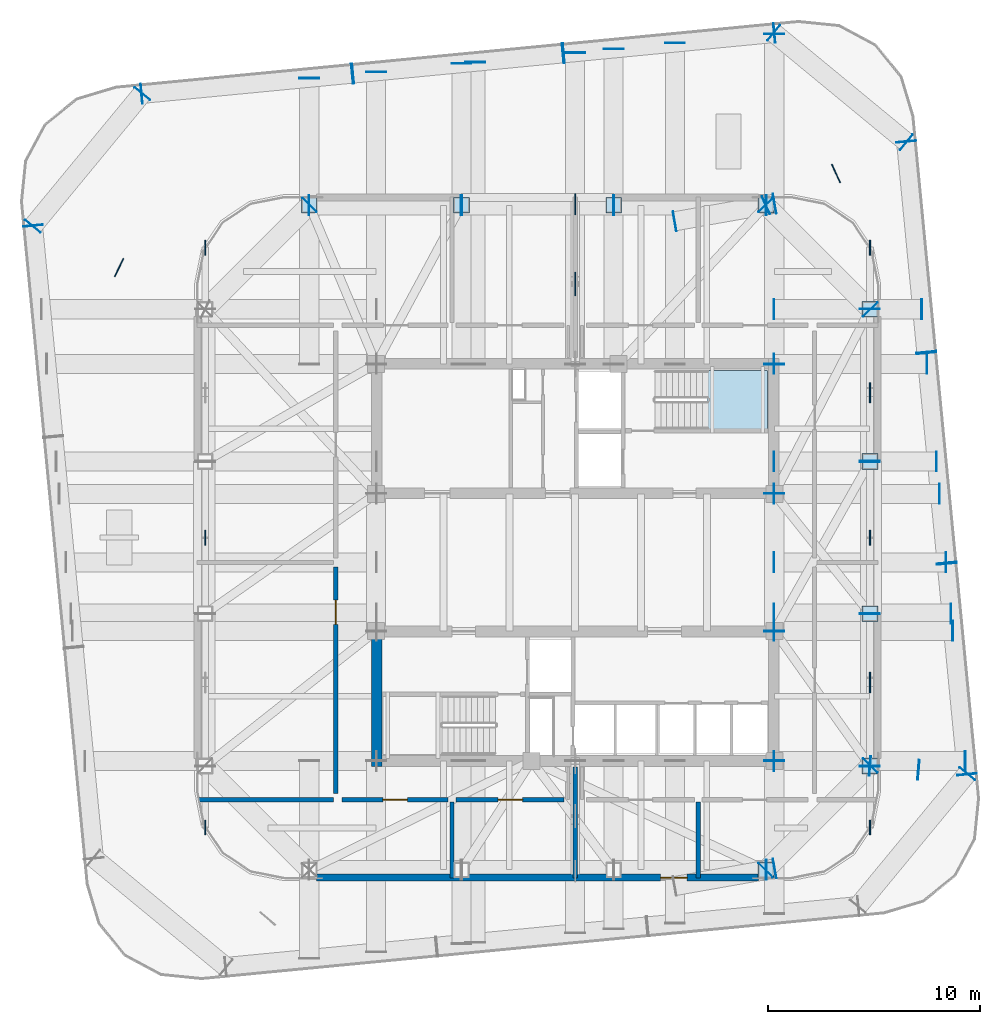
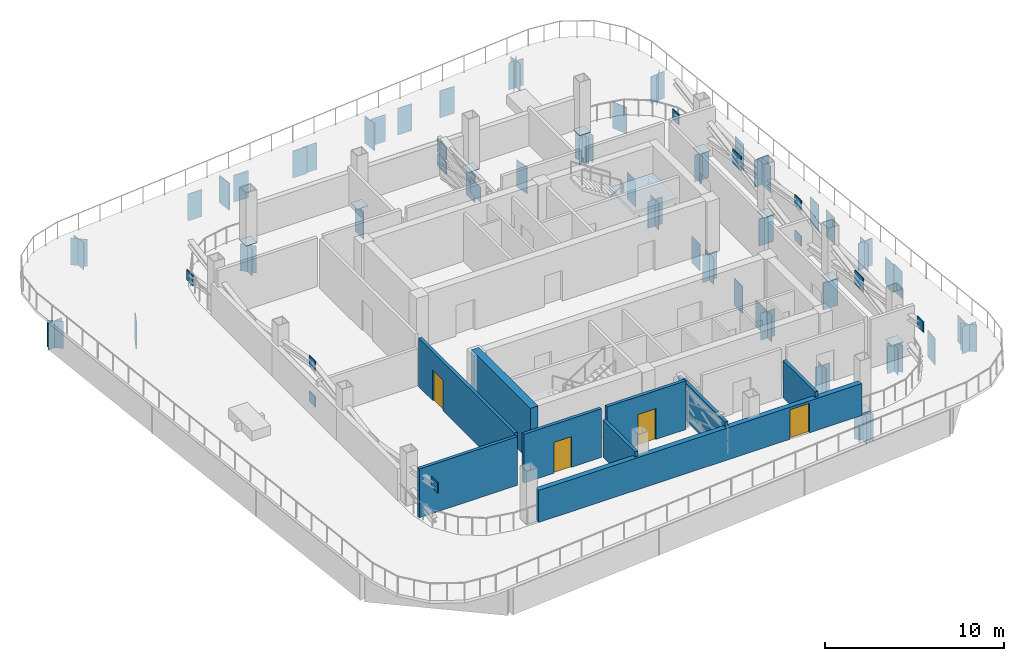
# One storey, part 5 of 12: 94 plates, 9 walls, 4 doors, 1 slab, 4 openings, 1 element without a shape of its own.
"""IFC4 building model written with IfcOpenShell, lengths in metres."""

from ifc_helpers import new_model, si_unit, direction, frame, frame_2d, origin, origin_2d, place, context, subcontext, project, spatial, polyline, rectangle, outline, extrude, material, layer, layer_set, type_object, element, fill, aggregate, save


model = new_model("IFC4")

# Units and contexts
model_context = context("Model", 3, precision=1e-05, world=origin(), true_north=direction((0.0, 1.0)))
body_context = subcontext(model_context, "Body", "Model", "MODEL_VIEW")
ifc_project = project(units=[si_unit("LENGTHUNIT", "METRE"), si_unit("AREAUNIT", "SQUARE_METRE"), si_unit("VOLUMEUNIT", "CUBIC_METRE"), si_unit("PLANEANGLEUNIT", "RADIAN"), si_unit("MASSUNIT", "GRAM", prefix="KILO")], contexts=[model_context])

# Site, building, storey
site_placement = place(None, origin())
site = spatial("IfcSite", under=ifc_project, at=site_placement, CompositionType="ELEMENT")
building_placement = place(site_placement, origin())
building = spatial("IfcBuilding", under=site, at=building_placement, Name="Qhalaya Broadcast Tower", CompositionType="ELEMENT")
storey_placement = place(building_placement, frame((0.0, 0.0, 187.949951171875)))
storey = spatial("IfcBuildingStorey", under=building, at=storey_placement, Name="L55", CompositionType="ELEMENT", Elevation=187.949951171875)

# Plates
ifc_material_1 = material(Name="Structural Steel ASTM A572 Grade 50", Category="steel")
ifc_layer_1 = layer(ifc_material_1, 0.4599609375, Name="Structural Steel ASTM A572 Grade 50")
ifc_layer_set_1 = layer_set([ifc_layer_1], Name="Structural Steel ASTM A572 Grade 50")
plate_type_1 = type_object("IfcPlateType", Name="Hollow Box Member End Cap Plate CP-01", PredefinedType="USERDEFINED", material=ifc_layer_set_1)
for number, where, z_axis, x_axis, name in (
    (1, (8.99609375, -13.8798828125, -2.10009765625), (0.0, 0.0, 1.0), (0.0, 1.0, 0.0), "L55 Hollow Girder End Cap L55-SPR-03-B"),
    (2, (8.96875, -13.891357421875, -2.10009765625), (0.0, 0.0, 1.0), (-0.707106781187, 0.707106781187, 0.0), "L55 Hollow Girder End Cap L55-SPR-04-A"),
    (3, (13.891357421875, -8.96875, -2.10009765625), (0.0, 0.0, 1.0), (-0.707106781187, 0.707106781187, 0.0), "L55 Hollow Girder End Cap L55-SPR-04-B"),
    (4, (13.8798828125, -8.99609375, -2.10009765625), (0.0, 0.0, 1.0), (-1.0, 0.0, 0.0), "L55 Hollow Girder End Cap L55-SPR-05-A"),
    (5, (13.8798828125, -1.79736328125, -2.10009765625), (0.0, 0.0, 1.0), (-1.0, 0.0, 0.0), "L55 Hollow Girder End Cap L55-SPR-05-B"),
    (6, (13.8798828125, -1.829345703125, -2.10009765625), (0.0, 0.0, 1.0), (-1.0, 0.0, 0.0), "L55 Hollow Girder End Cap L55-SPR-06-A"),
    (7, (13.8798828125, 5.369384765625, -2.10009765625), (0.0, 0.0, 1.0), (-1.0, 0.0, 0.0), "L55 Hollow Girder End Cap L55-SPR-06-B"),
    (8, (13.8798828125, 5.33740234375, -2.10009765625), (0.0, 0.0, 1.0), (-1.0, 0.0, 0.0), "L55 Hollow Girder End Cap L55-SPR-07-A"),
    (9, (13.8798828125, 12.535888671875, -2.10009765625), (0.0, 0.0, 1.0), (-1.0, 0.0, 0.0), "L55 Hollow Girder End Cap L55-SPR-07-B"),
    (10, (13.891357421875, 12.5087890625, -2.10009765625), (0.0, 0.0, 1.0), (-0.707106781187, -0.707106781187, 0.0), "L55 Hollow Girder End Cap L55-SPR-08-A"),
    (11, (8.96875, 17.431396484375, -2.10009765625), (0.0, 0.0, 1.0), (-0.707106781187, -0.707106781187, 0.0), "L55 Hollow Girder End Cap L55-SPR-08-B"),
    (12, (8.99609375, 17.419921875, -2.10009765625), (0.0, 0.0, 1.0), (0.0, -1.0, 0.0), "L55 Hollow Girder End Cap L55-SPR-09-A"),
    (13, (1.79736328125, 17.419921875, -2.10009765625), (0.0, 0.0, 1.0), (0.0, -1.0, 0.0), "L55 Hollow Girder End Cap L55-SPR-09-B"),
    (14, (1.829345703125, 17.419921875, -2.10009765625), (0.0, 0.0, 1.0), (0.0, -1.0, 0.0), "L55 Hollow Girder End Cap L55-SPR-10-A"),
    (15, (-5.369384765625, 17.419921875, -2.10009765625), (0.0, 0.0, 1.0), (0.0, -1.0, 0.0), "L55 Hollow Girder End Cap L55-SPR-10-B"),
    (16, (-5.33740234375, 17.419921875, -2.10009765625), (0.0, 0.0, 1.0), (0.0, -1.0, 0.0), "L55 Hollow Girder End Cap L55-SPR-11-A"),
    (17, (-12.535888671875, 17.419921875, -2.10009765625), (0.0, 0.0, 1.0), (0.0, -1.0, 0.0), "L55 Hollow Girder End Cap L55-SPR-11-B"),
    (18, (-12.5087890625, 17.431396484375, -2.10009765625), (0.0, 0.0, 1.0), (0.707106781187, -0.707106781187, 0.0), "L55 Hollow Girder End Cap L55-SPR-12-A"),
    (19, (18.4580078125, -9.349609375, -2.10009765625), (0.0, 0.0, 1.0), (-0.771624583388, 0.636078220278, 0.0), "L55 Hollow Girder End Cap L55-TGL-04-B"),
    (20, (18.44921875, -9.3779296875, -2.10009765625), (0.0, 0.0, 1.0), (-0.995396198367, -0.09584575252, 0.0), "L55 Hollow Girder End Cap L55-TGL-05-A"),
    (21, (17.4912109375, 0.57470703125, -2.10009765625), (0.0, 0.0, 1.0), (-0.995396198367, -0.09584575252, 0.0), "L55 Hollow Girder End Cap L55-TGL-05-B"),
    (22, (17.494140625, 0.54296875, -2.10009765625), (0.0, 0.0, 1.0), (-0.995396198367, -0.09584575252, 0.0), "L55 Hollow Girder End Cap L55-TGL-06-A"),
    (23, (16.535888671875, 10.49560546875, -2.10009765625), (0.0, 0.0, 1.0), (-0.995396198367, -0.09584575252, 0.0), "L55 Hollow Girder End Cap L55-TGL-06-B"),
    (24, (16.538818359375, 10.463623046875, -2.10009765625), (0.0, 0.0, 1.0), (-0.995396198367, -0.09584575252, 0.0), "L55 Hollow Girder End Cap L55-TGL-07-A"),
    (25, (15.58056640625, 20.416259765625, -2.10009765625), (0.0, 0.0, 1.0), (-0.995396198367, -0.09584575252, 0.0), "L55 Hollow Girder End Cap L55-TGL-07-B"),
    (26, (15.59423828125, 20.39013671875, -2.10009765625), (0.0, 0.0, 1.0), (-0.636078220278, -0.771624583388, 0.0), "L55 Hollow Girder End Cap L55-TGL-08-A"),
    (27, (9.349609375, 25.5380859375, -2.10009765625), (0.0, 0.0, 1.0), (-0.636078220278, -0.771624583388, 0.0), "L55 Hollow Girder End Cap L55-TGL-08-B"),
    (28, (9.3779296875, 25.529296875, -2.10009765625), (0.0, 0.0, 1.0), (0.09584575252, -0.995396198367, 0.0), "L55 Hollow Girder End Cap L55-TGL-09-A"),
    (29, (-0.57470703125, 24.571044921875, -2.10009765625), (0.0, 0.0, 1.0), (0.09584575252, -0.995396198367, 0.0), "L55 Hollow Girder End Cap L55-TGL-09-B"),
    (30, (-0.54296875, 24.57421875, -2.10009765625), (0.0, 0.0, 1.0), (0.09584575252, -0.995396198367, 0.0), "L55 Hollow Girder End Cap L55-TGL-10-A"),
    (31, (-10.49560546875, 23.61572265625, -2.10009765625), (0.0, 0.0, 1.0), (0.09584575252, -0.995396198367, 0.0), "L55 Hollow Girder End Cap L55-TGL-10-B"),
    (32, (-10.463623046875, 23.618896484375, -2.10009765625), (0.0, 0.0, 1.0), (0.09584575252, -0.995396198367, 0.0), "L55 Hollow Girder End Cap L55-TGL-11-A"),
    (33, (-20.416259765625, 22.660400390625, -2.10009765625), (0.0, 0.0, 1.0), (0.09584575252, -0.995396198367, 0.0), "L55 Hollow Girder End Cap L55-TGL-11-B"),
    (34, (-20.39013671875, 22.67431640625, -2.10009765625), (0.0, 0.0, 1.0), (0.771624583388, -0.636078220278, 0.0), "L55 Hollow Girder End Cap L55-TGL-12-A"),
    (35, (-25.5380859375, 16.4296875, -2.10009765625), (0.0, 0.0, 1.0), (0.771624583388, -0.636078220278, 0.0), "L55 Hollow Girder End Cap L55-TGL-12-B"),
    (36, (-25.529296875, 16.4580078125, -2.10009765625), (0.0, 0.0, 1.0), (0.995396198367, 0.09584575252, 0.0), "L55 Hollow Girder End Cap L55-TGL-13-A"),
    (37, (-9.375, 23.699462890625, -2.10009765625), (0.0, 0.0, 1.0), (-1.0, 0.0, 0.0), "L55 Hollow Girder End Cap L55-TGINW-1-B"),
    (38, (9.375, 9.93408203125, -2.10009765625), (0.0, 0.0, 1.0), (-1.0, 0.0, 0.0), "L55 Hollow Girder End Cap L55-TGINE-1-A"),
    (39, (9.375, 25.481201171875, -2.10009765625), (0.0, 0.0, 1.0), (-1.0, 0.0, 0.0), "L55 Hollow Girder End Cap L55-TGINE-1-B"),
    (40, (0.0, 24.602294921875, -2.10009765625), (0.0, 0.0, 1.0), (-1.0, 0.0, 0.0), "L55 Hollow Girder End Cap L55-TGIMN-1-B"),
    (41, (-4.699951171875, 24.149658203125, -2.10009765625), (0.0, 0.0, 1.0), (-1.0, 0.0, 0.0), "L55 Hollow Girder End Cap L55-TGIMNW-1-B"),
    (42, (4.699951171875, 25.0546875, -2.10009765625), (0.0, 0.0, 1.0), (-1.0, 0.0, 0.0), "L55 Hollow Girder End Cap L55-TGIMNE-1-B"),
    (43, (9.35888671875, 0.60009765625, -2.10009765625), (0.0, 0.0, 1.0), (0.0, 1.0, 0.0), "L55 Hollow Girder End Cap L55-TGIYE-1-A"),
    (44, (17.46435546875, 0.60009765625, -2.10009765625), (0.0, 0.0, 1.0), (0.0, 1.0, 0.0), "L55 Hollow Girder End Cap L55-TGIYE-1-B"),
    (45, (9.375, -8.73388671875, -2.10009765625), (0.0, 0.0, 1.0), (-1.0, 0.0, 0.0), "L55 Hollow Girder End Cap L55-TGISE-1-B"),
    (46, (9.375, -2.64111328125, -2.10009765625), (0.0, 0.0, 1.0), (-1.0, 0.0, 0.0), "L55 Hollow Girder End Cap L55-TGIME-1-A"),
    (47, (9.375, 3.841064453125, -2.10009765625), (0.0, 0.0, 1.0), (-1.0, 0.0, 0.0), "L55 Hollow Girder End Cap L55-TGIME-1-B"),
    (48, (9.35888671875, -8.75, -2.10009765625), (0.0, 0.0, 1.0), (0.0, 1.0, 0.0), "L55 Hollow Girder End Cap L55-TGIY1E-1-A"),
    (49, (18.36474609375, -8.75, -2.10009765625), (0.0, 0.0, 1.0), (0.0, 1.0, 0.0), "L55 Hollow Girder End Cap L55-TGIY1E-1-B"),
    (50, (9.35888671875, -2.625, -2.10009765625), (0.0, 0.0, 1.0), (0.0, 1.0, 0.0), "L55 Hollow Girder End Cap L55-TGIY2E-1-A"),
    (51, (17.77490234375, -2.625, -2.10009765625), (0.0, 0.0, 1.0), (0.0, 1.0, 0.0), "L55 Hollow Girder End Cap L55-TGIY2E-1-B"),
    (52, (9.35888671875, 3.824951171875, -2.10009765625), (0.0, 0.0, 1.0), (0.0, 1.0, 0.0), "L55 Hollow Girder End Cap L55-TGIY3E-1-A"),
    (53, (17.15380859375, 3.824951171875, -2.10009765625), (0.0, 0.0, 1.0), (0.0, 1.0, 0.0), "L55 Hollow Girder End Cap L55-TGIY3E-1-B"),
    (54, (9.35888671875, 9.949951171875, -2.10009765625), (0.0, 0.0, 1.0), (0.0, 1.0, 0.0), "L55 Hollow Girder End Cap L55-TGIY4E-1-A"),
    (55, (16.564208984375, 9.949951171875, -2.10009765625), (0.0, 0.0, 1.0), (0.0, 1.0, 0.0), "L55 Hollow Girder End Cap L55-TGIY4E-1-B"),
    (56, (9.390869140625, -13.8076171875, -2.10009765625), (0.0, 0.0, 1.0), (-0.173648177667, 0.984807753012, 0.0), "L55 Hollow Girder End Cap L55-TGC-04-B"),
):
    element("IfcPlate", number, at=place(storey_placement, frame(where, z_axis=z_axis, x_axis=x_axis)), inside=storey, type_object=plate_type_1, Name=name, ObjectType="COVER_PLATE", PredefinedType="USERDEFINED", context=body_context, shape_type="SweptSolid", body=[
        extrude(rectangle(XDim=0.93994140625, YDim=0.031982421875, at=origin_2d()), origin(), (0.0, 0.0, 1.0), 1.840087890625),
    ])
plate_1_placement = place(storey_placement, frame((13.8798828125, -8.97998046875, -2.080078125), z_axis=(0.0, 0.0, 1.0), x_axis=(-0.083329996614, -0.996522007617, 0.0)))
element("IfcPlate", 57, at=plate_1_placement, inside=storey, type_object=plate_type_1, Name="L55 Transfer Box End Cap 05", ObjectType="COVER_PLATE", PredefinedType="USERDEFINED", context=body_context, shape_type="SweptSolid", body=[
    extrude(rectangle(XDim=0.919921875, YDim=0.035888671875, at=origin_2d()), origin(), (0.0, 0.0, 1.0), 1.800048828125),
])
for number, where, z_axis, x_axis, name in (
    (58, (9.35888671875, -1.813232421875, -2.10009765625), (0.0, 0.0, 1.0), (0.0, 1.0, 0.0), "L55 Hollow Girder End Cap L55-TGC-06-A"),
    (59, (17.69677734375, -1.813232421875, -2.10009765625), (0.0, 0.0, 1.0), (0.0, 1.0, 0.0), "L55 Hollow Girder End Cap L55-TGC-06-B"),
    (60, (9.35888671875, 5.353271484375, -2.10009765625), (0.0, 0.0, 1.0), (0.0, 1.0, 0.0), "L55 Hollow Girder End Cap L55-TGC-07-A"),
    (61, (17.006591796875, 5.353271484375, -2.10009765625), (0.0, 0.0, 1.0), (0.0, 1.0, 0.0), "L55 Hollow Girder End Cap L55-TGC-07-B"),
    (62, (9.35888671875, 12.52001953125, -2.10009765625), (0.0, 0.0, 1.0), (0.0, 1.0, 0.0), "L55 Hollow Girder End Cap L55-TGC-08-A"),
    (63, (16.316650390625, 12.52001953125, -2.10009765625), (0.0, 0.0, 1.0), (0.0, 1.0, 0.0), "L55 Hollow Girder End Cap L55-TGC-08-B"),
    (64, (4.68408203125, 16.66259765625, -2.10009765625), (0.0, 0.0, 1.0), (-0.173665365778, 0.98480472213, 0.0), "L55 Hollow Girder End Cap L55-TGC-09-A"),
    (65, (9.390869140625, 17.492431640625, -2.10009765625), (0.0, 0.0, 1.0), (-0.173665365778, 0.98480472213, 0.0), "L55 Hollow Girder End Cap L55-TGC-09-B"),
):
    element("IfcPlate", number, at=place(storey_placement, frame(where, z_axis=z_axis, x_axis=x_axis)), inside=storey, type_object=plate_type_1, Name=name, ObjectType="COVER_PLATE", PredefinedType="USERDEFINED", context=body_context, shape_type="SweptSolid", body=[
        extrude(rectangle(XDim=0.93994140625, YDim=0.031982421875, at=origin_2d()), origin(), (0.0, 0.0, 1.0), 1.840087890625),
    ])
plate_2_placement = place(storey_placement, frame((8.97998046875, 17.419921875, -2.080078125), z_axis=(0.0, 0.0, 1.0), x_axis=(0.41145072965, -0.911432003536, 0.0)))
element("IfcPlate", 66, at=plate_2_placement, inside=storey, type_object=plate_type_1, Name="L55 Transfer Box End Cap 09", ObjectType="COVER_PLATE", PredefinedType="USERDEFINED", context=body_context, shape_type="SweptSolid", body=[
    extrude(rectangle(XDim=0.919921875, YDim=0.035888671875, at=origin_2d()), origin(), (0.0, 0.0, 1.0), 1.800048828125),
])
for number, where, z_axis, x_axis, name in (
    (67, (1.813232421875, 24.77685546875, -2.10009765625), (0.0, 0.0, 1.0), (-1.0, 0.0, 0.0), "L55 Hollow Girder End Cap L55-TGC-10-B"),
    (68, (-5.353271484375, 24.086669921875, -2.10009765625), (0.0, 0.0, 1.0), (-1.0, 0.0, 0.0), "L55 Hollow Girder End Cap L55-TGC-11-B"),
    (69, (-12.52001953125, 23.396484375, -2.10009765625), (0.0, 0.0, 1.0), (-1.0, 0.0, 0.0), "L55 Hollow Girder End Cap L55-TGC-12-B"),
):
    element("IfcPlate", number, at=place(storey_placement, frame(where, z_axis=z_axis, x_axis=x_axis)), inside=storey, type_object=plate_type_1, Name=name, ObjectType="COVER_PLATE", PredefinedType="USERDEFINED", context=body_context, shape_type="SweptSolid", body=[
        extrude(rectangle(XDim=0.93994140625, YDim=0.031982421875, at=origin_2d()), origin(), (0.0, 0.0, 1.0), 1.840087890625),
    ])
for number, where, z_axis, x_axis, name in (
    (70, (8.97998046875, -13.8798828125, -0.03173828125), (0.0, 0.0, 1.0), (1.0, 0.0, 0.0), "L55 Hollow Box Column Base Cap Plate COL-NK04"),
    (71, (13.8798828125, -8.97998046875, -0.03173828125), (0.0, 0.0, 1.0), (0.0, 1.0, 0.0), "L55 Hollow Box Column Base Cap Plate COL-NK05"),
    (72, (13.8798828125, -1.813232421875, -0.03173828125), (0.0, 0.0, 1.0), (0.0, 1.0, 0.0), "L55 Hollow Box Column Base Cap Plate COL-NK06"),
    (73, (13.8798828125, 5.353271484375, -0.03173828125), (0.0, 0.0, 1.0), (0.0, 1.0, 0.0), "L55 Hollow Box Column Base Cap Plate COL-NK07"),
    (74, (13.8798828125, 12.52001953125, -0.03173828125), (0.0, 0.0, 1.0), (0.0, 1.0, 0.0), "L55 Hollow Box Column Base Cap Plate COL-NK08"),
    (75, (8.97998046875, 17.419921875, -0.03173828125), (0.0, 0.0, 1.0), (1.0, 0.0, 0.0), "L55 Hollow Box Column Base Cap Plate COL-NK09"),
    (76, (1.813232421875, 17.419921875, -0.03173828125), (0.0, 0.0, 1.0), (1.0, 0.0, 0.0), "L55 Hollow Box Column Base Cap Plate COL-NK10"),
    (77, (-5.353271484375, 17.419921875, -0.03173828125), (0.0, 0.0, 1.0), (1.0, 0.0, 0.0), "L55 Hollow Box Column Base Cap Plate COL-NK11"),
    (78, (-12.52001953125, 17.419921875, -0.03173828125), (0.0, 0.0, 1.0), (1.0, 0.0, 0.0), "L55 Hollow Box Column Base Cap Plate COL-NK12"),
):
    element("IfcPlate", number, at=place(storey_placement, frame(where, z_axis=z_axis, x_axis=x_axis)), inside=storey, type_object=plate_type_1, Name=name, ObjectType="COVER_PLATE", PredefinedType="USERDEFINED", context=body_context, shape_type="SweptSolid", body=[
        extrude(rectangle(XDim=0.739990234375, YDim=0.739990234375, at=origin_2d()), origin(), (0.0, 0.0, 1.0), 0.031982421875),
    ])
ifc_layer_2 = layer(ifc_material_1, 0.06005859375, Name="Structural Steel ASTM A572 Grade 50")
ifc_layer_set_2 = layer_set([ifc_layer_2], Name="Structural Steel ASTM A572 Grade 50")
plate_type_2 = type_object("IfcPlateType", Name="Outrigger Core Embed Gusset Plate NP-02", PredefinedType="USERDEFINED", material=ifc_layer_set_2)
plate_3_placement = place(storey_placement, frame((0.0, 13.7099609375, 0.844970703125), z_axis=(0.0, 0.0, 1.0), x_axis=(0.0, 1.0, 0.0)))
element("IfcPlate", 79, at=plate_3_placement, inside=storey, type_object=plate_type_2, Name="L55 Outrigger Gusset Node NC-XM", ObjectType="GUSSET_PLATE", PredefinedType="USERDEFINED", context=body_context, shape_type="SweptSolid", body=[
    extrude(rectangle(XDim=1.10009765625, YDim=0.06005859375, at=origin_2d()), origin(), (0.0, 0.0, 1.0), 1.0),
])
for number, where, z_axis, x_axis, name in (
    (80, (0.0, 17.469970703125, 0.425048828125), (0.0, 0.0, 1.0), (0.0, 1.0, 0.0), "L55 Outrigger Gusset Node NC-P0"),
    (81, (0.0, 17.469970703125, 1.4150390625), (0.0, 0.0, 1.0), (0.0, 1.0, 0.0), "L55 Outrigger Gusset Node NC-P1"),
):
    element("IfcPlate", number, at=place(storey_placement, frame(where, z_axis=z_axis, x_axis=x_axis)), inside=storey, type_object=plate_type_2, Name=name, ObjectType="GUSSET_PLATE", PredefinedType="USERDEFINED", context=body_context, shape_type="SweptSolid", body=[
        extrude(rectangle(XDim=1.0, YDim=0.06005859375, at=origin_2d()), origin(), (0.0, 0.0, 1.0), 0.85009765625),
    ])
for number, where, z_axis, x_axis, name in (
    (82, (-17.419921875, -11.8798828125, 2.52001953125), (0.0, 0.0, 1.0), (0.0, 1.0, 0.0), "L55 Belt Truss End Gusset W1-B1T"),
    (83, (-17.419921875, 1.77001953125, 0.10009765625), (0.0, 0.0, 1.0), (0.0, 1.0, 0.0), "L55 Belt Truss End Gusset W1-B2B"),
    (84, (-17.419921875, 1.77001953125, 2.52001953125), (0.0, 0.0, 1.0), (0.0, 1.0, 0.0), "L55 Belt Truss End Gusset W2-B1T"),
    (85, (-17.419921875, 15.419921875, 0.10009765625), (0.0, 0.0, 1.0), (0.0, 1.0, 0.0), "L55 Belt Truss End Gusset W2-B2B"),
):
    element("IfcPlate", number, at=place(storey_placement, frame(where, z_axis=z_axis, x_axis=x_axis)), inside=storey, type_object=plate_type_2, Name=name, ObjectType="GUSSET_PLATE", PredefinedType="USERDEFINED", context=body_context, shape_type="SweptSolid", body=[
        extrude(rectangle(XDim=0.699951171875, YDim=0.06005859375, at=origin_2d()), origin(), (0.0, 0.0, 1.0), 0.699951171875),
    ])
plate_4_placement = place(storey_placement, frame((13.8798828125, -5.054931640625, 1.18505859375), z_axis=(0.0, 0.0, 1.0), x_axis=(0.0, 1.0, 0.0)))
element("IfcPlate", 86, at=plate_4_placement, inside=storey, type_object=plate_type_2, Name="L55 Belt Truss X-Crossing Gusset E1", ObjectType="GUSSET_PLATE", PredefinedType="USERDEFINED", context=body_context, shape_type="SweptSolid", body=[
    extrude(rectangle(XDim=0.949951171875, YDim=0.06005859375, at=origin_2d()), origin(), (0.0, 0.0, 1.0), 0.949951171875),
])
for number, where, z_axis, x_axis, name in (
    (87, (13.8798828125, -11.8798828125, 2.52001953125), (0.0, 0.0, 1.0), (0.0, 1.0, 0.0), "L55 Belt Truss End Gusset E1-B1T"),
    (88, (13.8798828125, 1.77001953125, 0.10009765625), (0.0, 0.0, 1.0), (0.0, 1.0, 0.0), "L55 Belt Truss End Gusset E1-B2B"),
):
    element("IfcPlate", number, at=place(storey_placement, frame(where, z_axis=z_axis, x_axis=x_axis)), inside=storey, type_object=plate_type_2, Name=name, ObjectType="GUSSET_PLATE", PredefinedType="USERDEFINED", context=body_context, shape_type="SweptSolid", body=[
        extrude(rectangle(XDim=0.699951171875, YDim=0.06005859375, at=origin_2d()), origin(), (0.0, 0.0, 1.0), 0.699951171875),
    ])
plate_5_placement = place(storey_placement, frame((13.8798828125, 8.594970703125, 1.18505859375), z_axis=(0.0, 0.0, 1.0), x_axis=(0.0, 1.0, 0.0)))
element("IfcPlate", 89, at=plate_5_placement, inside=storey, type_object=plate_type_2, Name="L55 Belt Truss X-Crossing Gusset E2", ObjectType="GUSSET_PLATE", PredefinedType="USERDEFINED", context=body_context, shape_type="SweptSolid", body=[
    extrude(rectangle(XDim=0.949951171875, YDim=0.06005859375, at=origin_2d()), origin(), (0.0, 0.0, 1.0), 0.949951171875),
])
for number, where, z_axis, x_axis, name in (
    (90, (13.8798828125, 1.77001953125, 2.52001953125), (0.0, 0.0, 1.0), (0.0, 1.0, 0.0), "L55 Belt Truss End Gusset E2-B1T"),
    (91, (13.8798828125, 15.419921875, 0.10009765625), (0.0, 0.0, 1.0), (0.0, 1.0, 0.0), "L55 Belt Truss End Gusset E2-B2B"),
):
    element("IfcPlate", number, at=place(storey_placement, frame(where, z_axis=z_axis, x_axis=x_axis)), inside=storey, type_object=plate_type_2, Name=name, ObjectType="GUSSET_PLATE", PredefinedType="USERDEFINED", context=body_context, shape_type="SweptSolid", body=[
        extrude(rectangle(XDim=0.699951171875, YDim=0.06005859375, at=origin_2d()), origin(), (0.0, 0.0, 1.0), 0.699951171875),
    ])

# Stair, slab
ifc_material_2 = material(Name="Concrete C40/50", Category="concrete")
stair_type = type_object("IfcStairType", Name="Protected Dogleg Core Stair 3600", PredefinedType="TWO_STRAIGHT_RUN_STAIR", material=ifc_material_2)
stair_placement = place(storey_placement, origin())
stair = element("IfcStair", 92, at=stair_placement, inside=storey, type_object=stair_type, Name="L55 North Core Exit Stair ST-1", PredefinedType="TWO_STRAIGHT_RUN_STAIR")
ifc_layer_3 = layer(ifc_material_2, 0.199951171875, Name="Concrete C40/50")
ifc_layer_set_3 = layer_set([ifc_layer_3], Name="Concrete C40/50")
slab_type = type_object("IfcSlabType", Name="Stair & Ramp Half-Landing Slab 200", PredefinedType="LANDING", material=ifc_layer_set_3)
slab_placement = place(storey_placement, frame((0.0, 0.0, 1.60009765625)))
slab = element("IfcSlab", 93, at=slab_placement, type_object=slab_type, Name="ST-1 landing 1", PredefinedType="LANDING", context=body_context, shape_type="SweptSolid", body=[
    extrude(outline(polyline([(6.235107421875, 6.8798828125), (9.050048828125, 6.8798828125), (9.050048828125, 9.639892578125), (6.235107421875, 9.639892578125), (6.235107421875, 6.8798828125)])), origin(), (0.0, 0.0, 1.0), 0.199951171875),
])
aggregate(stair, [slab])

# Plates
ifc_layer_4 = layer(ifc_material_1, 0.044921875, Name="Structural Steel ASTM A572 Grade 50")
ifc_layer_set_4 = layer_set([ifc_layer_4], Name="Structural Steel ASTM A572 Grade 50")
plate_type_3 = type_object("IfcPlateType", Name="Transfer Girder Web Stiffener Plate WS-01", PredefinedType="USERDEFINED", material=ifc_layer_set_4)
for number, where, z_axis, x_axis, name in (
    (94, (16.163818359375, -9.1708984375, -2.080078125), (0.0, 0.0, 1.0), (-0.083329996614, -0.996522007617, 0.0), "L55 Transfer Girder Stiffener 05"),
    (95, (12.281005859375, 18.91015625, -2.080078125), (0.0, 0.0, 1.0), (0.41145072965, -0.911432003536, 0.0), "L55 Transfer Girder Stiffener 09"),
    (96, (-21.473876953125, 14.48095703125, -2.080078125), (0.0, 0.0, 1.0), (0.435466787358, 0.900204797315, 0.0), "L55 Transfer Girder Stiffener 13"),
):
    element("IfcPlate", number, at=place(storey_placement, frame(where, z_axis=z_axis, x_axis=x_axis)), inside=storey, type_object=plate_type_3, Name=name, ObjectType="STIFFENER_PLATE", PredefinedType="USERDEFINED", context=body_context, shape_type="SweptSolid", body=[
        extrude(rectangle(XDim=0.93994140625, YDim=0.044921875, at=origin_2d()), origin(), (0.0, 0.0, 1.0), 1.800048828125),
    ])

# Wall
ifc_material_3 = material(Name="Gypsum Acoustic Partition")
ifc_layer_5 = layer(ifc_material_3, 0.199951171875, Name="Gypsum Acoustic Partition")
ifc_layer_set_5 = layer_set([ifc_layer_5], Name="Gypsum Acoustic Partition")
wall_type_1 = type_object("IfcWallType", Name="Firefighting Lobby & Stair Enclosure Wall 200", PredefinedType="PARTITIONING", material=ifc_layer_set_5)
wall_1_placement = place(storey_placement, frame((0.0, -14.260009765625, 0.0), z_axis=(0.0, 0.0, 1.0), x_axis=(0.0, 1.0, 0.0)))
element("IfcWall", 97, at=wall_1_placement, inside=storey, type_object=wall_type_1, Name="L55 Partition Wall W-OBS", PredefinedType="PARTITIONING", context=body_context, shape_type="SweptSolid", body=[
    extrude(rectangle(XDim=5.219970703125, YDim=0.199951171875, at=frame_2d((2.60986328125, 0.0))), origin(), (0.0, 0.0, 1.0), 2.5380859375),
])

# Wall, opening, door
wall_2_placement = place(storey_placement, frame((-10.969970703125, -10.570068359375, 0.0), z_axis=(0.0, 0.0, 1.0), x_axis=(1.0, 0.0, 0.0)))
wall_2 = element("IfcWall", 98, at=wall_2_placement, inside=storey, type_object=wall_type_1, Name="L55 Partition Wall W-PCS0", PredefinedType="PARTITIONING", context=body_context, shape_type="SweptSolid", body=[
    extrude(rectangle(XDim=4.989990234375, YDim=0.199951171875, at=frame_2d((2.4951171875, 0.0))), origin(), (0.0, 0.0, 1.0), 3.320068359375),
])
opening_1_placement = place(wall_2_placement, frame((1.919921875, 0.0, 0.0)))
opening_1 = element("IfcOpeningElement", 99, at=opening_1_placement, cuts=wall_2, Name="Opening D05", PredefinedType="OPENING", context=body_context, shape_type="SweptSolid", body=[
    extrude(rectangle(XDim=1.14990234375, YDim=2.10009765625, at=frame_2d((0.574951171875, 1.050048828125))), frame((0.0, 0.112060546875, 0.0), z_axis=(0.0, -1.0, 0.0), x_axis=(1.0, 0.0, 0.0)), (0.0, 0.0, 1.0), 0.223876953125),
])
ifc_material_4 = material(Name="Fire-Rated Steel Door", Category="steel")
door_type_1 = type_object("IfcDoorType", Name="Refuge & Plant Room Fire Door D05", OperationType="NOTDEFINED", PredefinedType="DOOR", material=ifc_material_4)
door_1_placement = place(opening_1_placement, origin())
door_1 = element("IfcDoor", 100, at=door_1_placement, inside=storey, type_object=door_type_1, Name="L55 Door D-PCS0", OperationType="SINGLE_SWING_RIGHT", OverallHeight=2.10009765625, OverallWidth=1.14990234375, PredefinedType="DOOR", context=body_context, shape_type="SweptSolid", body=[
    extrude(rectangle(XDim=1.14990234375, YDim=2.10009765625, at=frame_2d((0.574951171875, 1.050048828125))), frame((0.0, 0.02490234375, 0.0), z_axis=(0.0, -1.0, 0.0), x_axis=(1.0, 0.0, 0.0)), (0.0, 0.0, 1.0), 0.050048828125),
])
fill(opening_1, door_1)

# Wall
wall_3_placement = place(storey_placement, frame((-5.800048828125, -14.260009765625, 0.0), z_axis=(0.0, 0.0, 1.0), x_axis=(0.0, 1.0, 0.0)))
element("IfcWall", 101, at=wall_3_placement, inside=storey, type_object=wall_type_1, Name="L55 Partition Wall W-PDS1", PredefinedType="PARTITIONING", context=body_context, shape_type="SweptSolid", body=[
    extrude(rectangle(XDim=3.570068359375, YDim=0.199951171875, at=frame_2d((1.78515625, 0.0))), origin(), (0.0, 0.0, 1.0), 2.5380859375),
])

# Wall, opening, door
wall_4_placement = place(storey_placement, frame((-5.6201171875, -10.570068359375, 0.0), z_axis=(0.0, 0.0, 1.0), x_axis=(1.0, 0.0, 0.0)))
wall_4 = element("IfcWall", 102, at=wall_4_placement, inside=storey, type_object=wall_type_1, Name="L55 Partition Wall W-PCS1", PredefinedType="PARTITIONING", context=body_context, shape_type="SweptSolid", body=[
    extrude(rectangle(XDim=5.090087890625, YDim=0.199951171875, at=frame_2d((2.544921875, 0.0))), origin(), (0.0, 0.0, 1.0), 3.320068359375),
])
opening_2_placement = place(wall_4_placement, frame((1.989990234375, 0.0, 0.0)))
opening_2 = element("IfcOpeningElement", 103, at=opening_2_placement, cuts=wall_4, Name="Opening D05", PredefinedType="OPENING", context=body_context, shape_type="SweptSolid", body=[
    extrude(rectangle(XDim=1.14990234375, YDim=2.10009765625, at=frame_2d((0.574951171875, 1.050048828125))), frame((0.0, 0.112060546875, 0.0), z_axis=(0.0, -1.0, 0.0), x_axis=(1.0, 0.0, 0.0)), (0.0, 0.0, 1.0), 0.223876953125),
])
door_2_placement = place(opening_2_placement, origin())
door_2 = element("IfcDoor", 104, at=door_2_placement, inside=storey, type_object=door_type_1, Name="L55 Door D-PCS1", OperationType="SINGLE_SWING_RIGHT", OverallHeight=2.10009765625, OverallWidth=1.14990234375, PredefinedType="DOOR", context=body_context, shape_type="SweptSolid", body=[
    extrude(rectangle(XDim=1.14990234375, YDim=2.10009765625, at=frame_2d((0.574951171875, 1.050048828125))), frame((0.0, 0.02490234375, 0.0), z_axis=(0.0, -1.0, 0.0), x_axis=(1.0, 0.0, 0.0)), (0.0, 0.0, 1.0), 0.050048828125),
])
fill(opening_2, door_2)

# Walls
wall_5_placement = place(storey_placement, frame((5.800048828125, -14.260009765625, 0.0), z_axis=(0.0, 0.0, 1.0), x_axis=(0.0, 1.0, 0.0)))
element("IfcWall", 105, at=wall_5_placement, inside=storey, type_object=wall_type_1, Name="L55 Partition Wall W-PDS3", PredefinedType="PARTITIONING", context=body_context, shape_type="SweptSolid", body=[
    extrude(rectangle(XDim=3.570068359375, YDim=0.199951171875, at=frame_2d((1.78515625, 0.0))), origin(), (0.0, 0.0, 1.0), 2.5380859375),
])
wall_6_placement = place(storey_placement, frame((-17.72021484375, -10.570068359375, 0.0), z_axis=(0.0, 0.0, 1.0), x_axis=(1.0, 0.0, 0.0)))
element("IfcWall", 106, at=wall_6_placement, inside=storey, type_object=wall_type_1, Name="L55 Partition Wall W-PBSW", PredefinedType="PARTITIONING", context=body_context, shape_type="SweptSolid", body=[
    extrude(rectangle(XDim=6.330322265625, YDim=0.199951171875, at=frame_2d((3.1650390625, 0.0))), origin(), (0.0, 0.0, 1.0), 3.320068359375),
])

# Wall, opening, door
wall_7_placement = place(storey_placement, frame((-11.27001953125, 0.389892578125, 0.0), z_axis=(0.0, 0.0, 1.0), x_axis=(0.0, -1.0, 0.0)))
wall_7 = element("IfcWall", 107, at=wall_7_placement, inside=storey, type_object=wall_type_1, Name="L55 Partition Wall W-PCW1", PredefinedType="PARTITIONING", context=body_context, shape_type="SweptSolid", body=[
    extrude(rectangle(XDim=10.679931640625, YDim=0.199951171875, at=frame_2d((5.33984375, 0.0))), origin(), (0.0, 0.0, 1.0), 3.320068359375),
])
opening_3_placement = place(wall_7_placement, frame((1.56103515625, 0.0, 0.0)))
opening_3 = element("IfcOpeningElement", 108, at=opening_3_placement, cuts=wall_7, Name="Opening D05", PredefinedType="OPENING", context=body_context, shape_type="SweptSolid", body=[
    extrude(rectangle(XDim=1.14990234375, YDim=2.10009765625, at=frame_2d((0.574951171875, 1.050048828125))), frame((0.0, 0.112060546875, 0.0), z_axis=(0.0, -1.0, 0.0), x_axis=(1.0, 0.0, 0.0)), (0.0, 0.0, 1.0), 0.223876953125),
])
door_3_placement = place(opening_3_placement, origin())
door_3 = element("IfcDoor", 109, at=door_3_placement, inside=storey, type_object=door_type_1, Name="L55 Door D-PCW1", OperationType="SINGLE_SWING_LEFT", OverallHeight=2.10009765625, OverallWidth=1.14990234375, PredefinedType="DOOR", context=body_context, shape_type="SweptSolid", body=[
    extrude(rectangle(XDim=1.14990234375, YDim=2.10009765625, at=frame_2d((0.574951171875, 1.050048828125))), frame((0.0, 0.02490234375, 0.0), z_axis=(0.0, -1.0, 0.0), x_axis=(1.0, 0.0, 0.0)), (0.0, 0.0, 1.0), 0.050048828125),
])
fill(opening_3, door_3)

# Wall
ifc_material_5 = material(Name="Concrete C50/60", Category="concrete")
ifc_layer_6 = layer(ifc_material_5, 0.5, Name="Concrete C50/60")
ifc_layer_set_6 = layer_set([ifc_layer_6], Name="Concrete C50/60")
wall_type_2 = type_object("IfcWallType", Name="Mid Split-Core Shear Wall 500", PredefinedType="SHEAR", material=ifc_layer_set_6)
wall_8_placement = place(storey_placement, frame((-9.35009765625, -9.0, 0.0), z_axis=(0.0, 0.0, 1.0), x_axis=(0.0, 1.0, 0.0)))
element("IfcWall", 110, at=wall_8_placement, inside=storey, type_object=wall_type_2, Name="L55 Split-Core Shear Wall CW-SW", PredefinedType="SHEAR", context=body_context, shape_type="SweptSolid", body=[
    extrude(rectangle(XDim=6.60009765625, YDim=0.5, at=frame_2d((3.300048828125, 0.0))), origin(), (0.0, 0.0, 1.0), 3.60009765625),
])

# Wall, opening, door
ifc_material_6 = material(Name="Precast Concrete C40/50", Category="concrete")
ifc_layer_7 = layer(ifc_material_6, 0.320068359375, Name="Precast Concrete C40/50")
ifc_layer_set_7 = layer_set([ifc_layer_7], Name="Precast Concrete C40/50")
wall_type_3 = type_object("IfcWallType", Name="Recessed Neck Insulated Exterior Wall 320", PredefinedType="SOLIDWALL", material=ifc_layer_set_7)
wall_9_placement = place(storey_placement, frame((8.64208984375, -14.239990234375, 0.0), z_axis=(0.0, 0.0, 1.0), x_axis=(-1.0, 0.0, 0.0)))
wall_9 = element("IfcWall", 111, at=wall_9_placement, inside=storey, type_object=wall_type_3, Name="L55 Exterior Facade Wall S", PredefinedType="SOLIDWALL", context=body_context, shape_type="SweptSolid", body=[
    extrude(rectangle(XDim=20.823974609375, YDim=0.320068359375, at=frame_2d((10.412109375, 0.0))), origin(), (0.0, 0.0, 1.0), 2.18212890625),
])
opening_4_placement = place(wall_9_placement, frame((3.367919921875, 0.0, 0.0)))
opening_4 = element("IfcOpeningElement", 112, at=opening_4_placement, cuts=wall_9, Name="Opening D13", PredefinedType="OPENING", context=body_context, shape_type="SweptSolid", body=[
    extrude(rectangle(XDim=1.25, YDim=2.02001953125, at=frame_2d((0.625, 1.010009765625))), frame((0.0, 0.172119140625, 0.0), z_axis=(0.0, -1.0, 0.0), x_axis=(1.0, 0.0, 0.0)), (0.0, 0.0, 1.0), 0.343994140625),
])
ifc_material_7 = material(Name="Anodised Aluminium Glazed Door", Category="aluminium")
door_type_2 = type_object("IfcDoorType", Name="Sky-Garden, Sky-Pool & Lookout Terrace Door D13", OperationType="NOTDEFINED", PredefinedType="DOOR", material=ifc_material_7)
door_4_placement = place(opening_4_placement, origin())
door_4 = element("IfcDoor", 113, at=door_4_placement, inside=storey, type_object=door_type_2, Name="L55 Outdoor Terrace Access Door S", OperationType="SINGLE_SWING_RIGHT", OverallHeight=2.02001953125, OverallWidth=1.25, PredefinedType="DOOR", context=body_context, shape_type="SweptSolid", body=[
    extrude(rectangle(XDim=1.25, YDim=2.02001953125, at=frame_2d((0.625, 1.010009765625))), frame((0.0, 0.02490234375, 0.0), z_axis=(0.0, -1.0, 0.0), x_axis=(1.0, 0.0, 0.0)), (0.0, 0.0, 1.0), 0.050048828125),
])
fill(opening_4, door_4)

save(model, "model.ifc")
